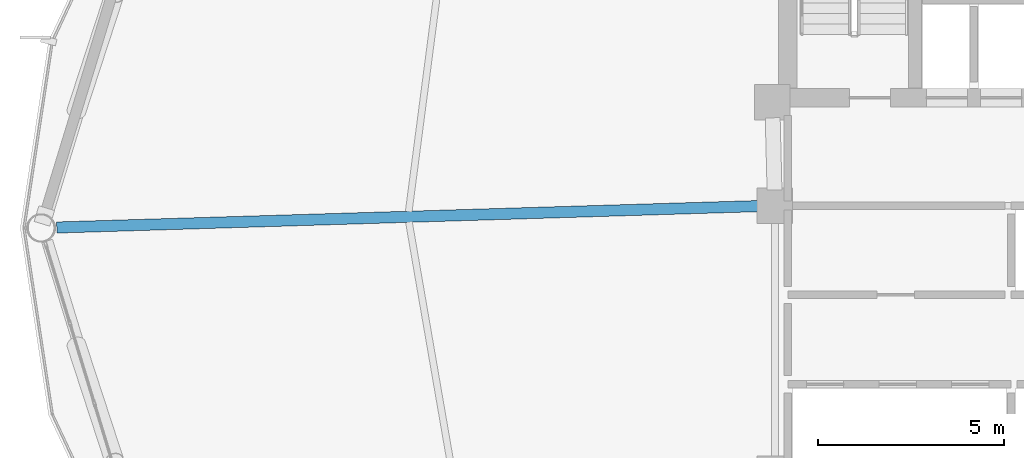
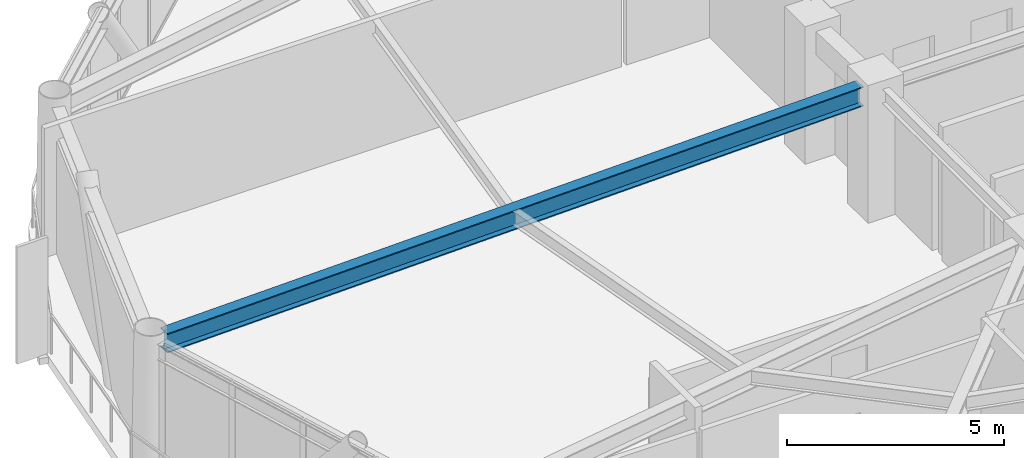
# One storey, part 10 of 24: 1 beam.
"""IFC4 building model written with IfcOpenShell, lengths in metres."""

from ifc_helpers import new_model, si_unit, direction, frame, origin, origin_2d, place, context, subcontext, project, spatial, i_section, extrude, material, material_profile, profile_set, type_object, element, save


model = new_model("IFC4")

# Units and contexts
model_context = context("Model", 3, precision=1e-05, world=origin(), true_north=direction((0.0, 1.0)))
body_context = subcontext(model_context, "Body", "Model", "MODEL_VIEW")
ifc_project = project(units=[si_unit("LENGTHUNIT", "METRE"), si_unit("AREAUNIT", "SQUARE_METRE"), si_unit("VOLUMEUNIT", "CUBIC_METRE"), si_unit("PLANEANGLEUNIT", "RADIAN"), si_unit("MASSUNIT", "GRAM", prefix="KILO")], contexts=[model_context])

# Site, building, storey
site_placement = place(None, origin())
site = spatial("IfcSite", under=ifc_project, at=site_placement, CompositionType="ELEMENT")
building_placement = place(site_placement, origin())
building = spatial("IfcBuilding", under=site, at=building_placement, Name="Varnakorn Sky Granary", CompositionType="ELEMENT")
storey_placement = place(building_placement, frame((0.0, 0.0, 161.699951171875)))
storey = spatial("IfcBuildingStorey", under=building, at=storey_placement, Name="L40", CompositionType="ELEMENT", Elevation=161.699951171875)

# Beam
ifc_material = material(Name="Steel S355JR", Category="steel")
ifc_material_profile = material_profile(ifc_material, i_section(OverallWidth=0.300048828125, OverallDepth=0.550048828125, WebThickness=0.014892578125, FlangeThickness=0.029052734375, at=origin_2d()), Name="HE 550 B")
ifc_profile_set = profile_set([ifc_material_profile], Name="Steel S355JR")
beam_type = type_object("IfcBeamType", Name="BM-RAD-Z3", PredefinedType="BEAM", material=ifc_profile_set)
beam_placement = place(storey_placement, frame((-2.769775390625, 0.587158203125, 3.364990234375), z_axis=(-0.999535124037, -0.030488289814, 0.0), x_axis=(0.030488289814, -0.999535124037, 0.0)))
element("IfcBeam", 1, at=beam_placement, inside=storey, type_object=beam_type, Name="Radial Floor Girder RG07 L40", PredefinedType="BEAM", context=body_context, shape_type="SweptSolid", body=[
    extrude(i_section(OverallWidth=0.300048828125, OverallDepth=0.550048828125, WebThickness=0.014892578125, FlangeThickness=0.029052734375, at=origin_2d()), origin(), (0.0, 0.0, 1.0), 18.89013671875),
])

save(model, "model.ifc")
